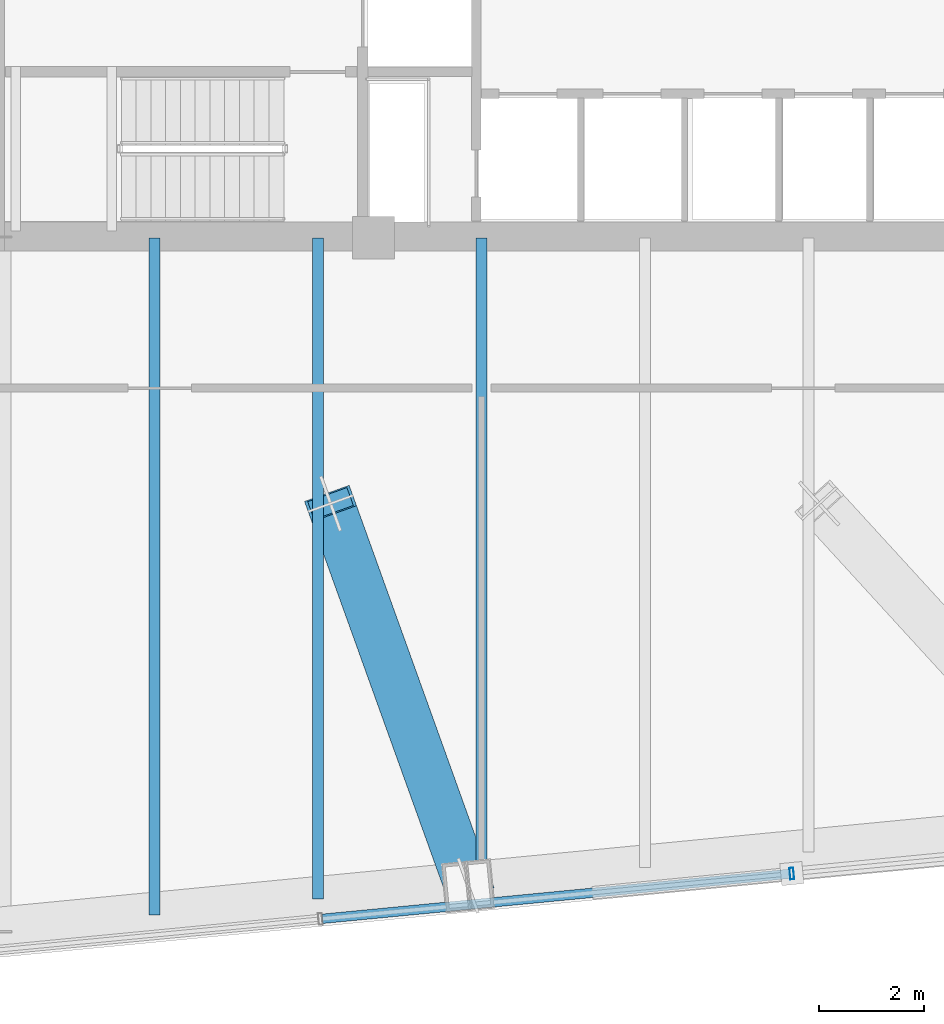
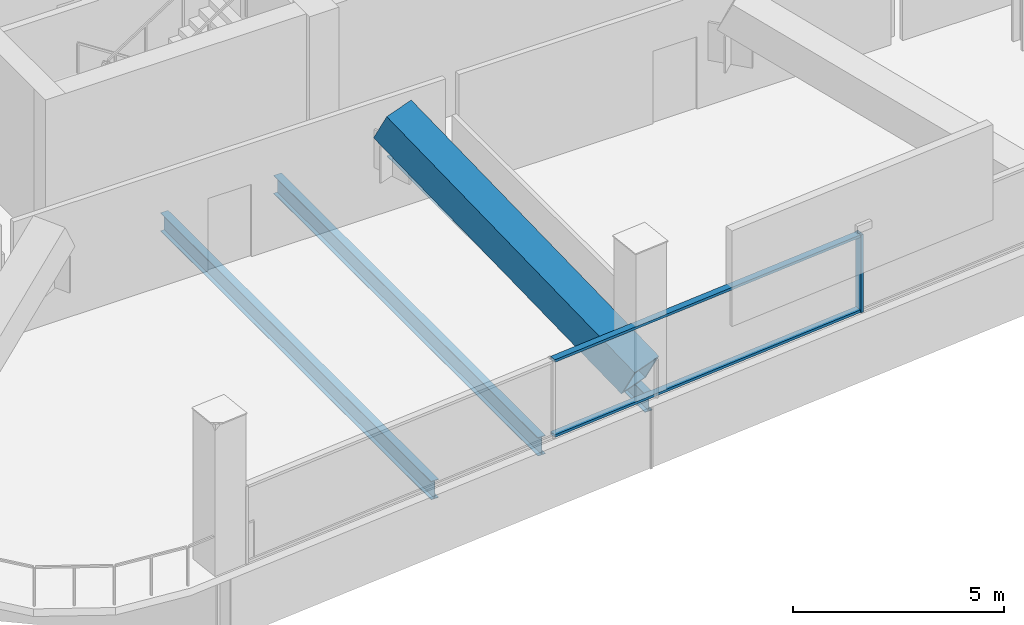
# One storey, part 5 of 30: 4 members, 3 beams, 1 element without a shape of its own.
"""IFC4 building model written with IfcOpenShell, lengths in metres."""

from ifc_helpers import new_model, si_unit, direction, frame, origin, origin_2d, place, context, subcontext, project, spatial, hollow_rectangle, i_section, extrude, material, layer, layer_set, material_profile, profile_set, type_object, element, aggregate, save


model = new_model("IFC4")

# Units and contexts
model_context = context("Model", 3, precision=1e-05, world=origin(), true_north=direction((0.0, 1.0)))
body_context = subcontext(model_context, "Body", "Model", "MODEL_VIEW")
ifc_project = project(units=[si_unit("LENGTHUNIT", "METRE"), si_unit("AREAUNIT", "SQUARE_METRE"), si_unit("VOLUMEUNIT", "CUBIC_METRE"), si_unit("PLANEANGLEUNIT", "RADIAN"), si_unit("MASSUNIT", "GRAM", prefix="KILO")], contexts=[model_context])

# Site, building, storey
site_placement = place(None, origin())
site = spatial("IfcSite", under=ifc_project, at=site_placement, CompositionType="ELEMENT")
building_placement = place(site_placement, origin())
building = spatial("IfcBuilding", under=site, at=building_placement, Name="Qhalaya Broadcast Tower", CompositionType="ELEMENT")
storey_placement = place(building_placement, frame((0.0, 0.0, 96.89990234375)))
storey = spatial("IfcBuildingStorey", under=building, at=storey_placement, Name="L28", CompositionType="ELEMENT", Elevation=96.89990234375)

# Beams
ifc_material_1 = material(Name="Structural Steel ASTM A992 Grade 50", Category="steel")
ifc_material_profile_1 = material_profile(ifc_material_1, i_section(OverallWidth=0.2099609375, OverallDepth=0.535888671875, WebThickness=0.010986328125, FlangeThickness=0.017333984375, at=origin_2d()), Name="W21X68")
ifc_profile_set_1 = profile_set([ifc_material_profile_1], Name="Structural Steel ASTM A992 Grade 50")
beam_type = type_object("IfcBeamType", Name="Composite Floor Joist J02", PredefinedType="JOIST", material=ifc_profile_set_1)
beam_1_placement = place(storey_placement, frame((-6.199951171875, -21.589111328125, -0.48779296875), z_axis=(0.0, 1.0, 0.0), x_axis=(-1.0, 0.0, 0.0)))
element("IfcBeam", 1, at=beam_1_placement, inside=storey, type_object=beam_type, Name="L28 J02 L28-JNS1-1", PredefinedType="JOIST", context=body_context, shape_type="SweptSolid", body=[
    extrude(i_section(OverallWidth=0.2099609375, OverallDepth=0.535888671875, WebThickness=0.010986328125, FlangeThickness=0.017333984375, at=origin_2d()), origin(), (0.0, 0.0, 1.0), 12.839111328125),
])
beam_2_placement = place(storey_placement, frame((-3.10009765625, -21.290771484375, -0.48779296875), z_axis=(0.0, 1.0, 0.0), x_axis=(-1.0, 0.0, 0.0)))
element("IfcBeam", 2, at=beam_2_placement, inside=storey, type_object=beam_type, Name="L28 J02 L28-JNS2-1", PredefinedType="JOIST", context=body_context, shape_type="SweptSolid", body=[
    extrude(i_section(OverallWidth=0.2099609375, OverallDepth=0.535888671875, WebThickness=0.010986328125, FlangeThickness=0.017333984375, at=origin_2d()), origin(), (0.0, 0.0, 1.0), 12.540771484375),
])
beam_3_placement = place(storey_placement, frame((0.0, -20.9921875, -0.48779296875), z_axis=(0.0, 1.0, 0.0), x_axis=(-1.0, 0.0, 0.0)))
element("IfcBeam", 3, at=beam_3_placement, inside=storey, type_object=beam_type, Name="L28 J02 L28-JNS3-1", PredefinedType="JOIST", context=body_context, shape_type="SweptSolid", body=[
    extrude(i_section(OverallWidth=0.2099609375, OverallDepth=0.535888671875, WebThickness=0.010986328125, FlangeThickness=0.017333984375, at=origin_2d()), origin(), (0.0, 0.0, 1.0), 12.2421875),
])

# Member
ifc_material_2 = material(Name="Structural Steel ASTM A572 Grade 50", Category="steel")
ifc_material_profile_2 = material_profile(ifc_material_2, hollow_rectangle(XDim=0.89990234375, YDim=0.89990234375, WallThickness=0.054931640625, at=origin_2d()), Name="BOX 900x900x55")
ifc_profile_set_2 = profile_set([ifc_material_profile_2], Name="Structural Steel ASTM A572 Grade 50")
member_type_1 = type_object("IfcMemberType", Name="Heavy Exoskeleton Transfer Strut RK1", PredefinedType="BRACE", material=ifc_profile_set_2)
member_1_placement = place(storey_placement, frame((-0.255126953125, -21.036865234375, 0.41064453125), z_axis=(-0.301488999548, 0.837695214226, 0.45538018316), x_axis=(-0.940916503079, -0.338638648465, 0.0)))
element("IfcMember", 4, at=member_1_placement, inside=storey, type_object=member_type_1, Name="L28 Inclined Exoskeleton Transfer Strut 02", PredefinedType="BRACE", context=body_context, shape_type="SweptSolid", body=[
    extrude(hollow_rectangle(XDim=0.89990234375, YDim=0.89990234375, WallThickness=0.054931640625, at=origin_2d()), origin(), (0.0, 0.0, 1.0), 8.65087890625),
])

# Curtain wall, members
ifc_material_3 = material(Name="Fired Architectural Terracotta", Category="masonry")
ifc_layer = layer(ifc_material_3, 0.219970703125, Name="Fired Architectural Terracotta")
ifc_layer_set = layer_set([ifc_layer], Name="Fired Architectural Terracotta")
curtain_wall_type = type_object("IfcCurtainWallType", Name="Block-Cap Unitised Terracotta Spandrel Wall CW-07", PredefinedType="NOTDEFINED", material=ifc_layer_set)
curtain_wall_placement = place(storey_placement, origin())
curtain_wall = element("IfcCurtainWall", 5, at=curtain_wall_placement, inside=storey, type_object=curtain_wall_type, Name="L28 Unitised Curtain Wall L28-CW-S", PredefinedType="NOTDEFINED")
ifc_material_4 = material(Name="Anodised Aluminium 6063-T6", Category="aluminium")
ifc_material_profile_3 = material_profile(ifc_material_4, hollow_rectangle(XDim=0.074951171875, YDim=0.219970703125, WallThickness=0.00390625, at=origin_2d()), Name="ALU-MUL 75x220x4")
ifc_profile_set_3 = profile_set([ifc_material_profile_3], Name="Anodised Aluminium 6063-T6")
member_type_2 = type_object("IfcMemberType", Name="Unitised Curtain-Wall Mullion M01", PredefinedType="MULLION", material=ifc_profile_set_3)
member_2_placement = place(storey_placement, frame((5.884521484375, -20.807373046875, 0.0), z_axis=(0.0, 0.0, 1.0), x_axis=(-0.995396096278, -0.095846812756, 0.0)))
member_2 = element("IfcMember", 6, at=member_2_placement, type_object=member_type_2, Name="CW-07 mullion 3", PredefinedType="MULLION", context=body_context, shape_type="SweptSolid", body=[
    extrude(hollow_rectangle(XDim=0.074951171875, YDim=0.219970703125, WallThickness=0.00390625, at=origin_2d()), origin(), (0.0, 0.0, 1.0), 2.25),
])
ifc_material_profile_4 = material_profile(ifc_material_4, hollow_rectangle(XDim=0.074951171875, YDim=0.179931640625, WallThickness=0.00390625, at=origin_2d()), Name="ALU-TRN 75x180x4")
ifc_profile_set_4 = profile_set([ifc_material_profile_4], Name="Anodised Aluminium 6063-T6")
member_type_3 = type_object("IfcMemberType", Name="Unitised Curtain-Wall Transom T01", PredefinedType="USERDEFINED", material=ifc_profile_set_4)
member_3_placement = place(storey_placement, frame((5.84716796875, -20.81103515625, 0.03759765625), z_axis=(-0.995397117949, -0.095836201822, 0.0), x_axis=(0.0, 0.0, 1.0)))
member_3 = element("IfcMember", 7, at=member_3_placement, type_object=member_type_3, Name="CW-07 transom 3.1", ObjectType="TRANSOM", PredefinedType="USERDEFINED", context=body_context, shape_type="SweptSolid", body=[
    extrude(hollow_rectangle(XDim=0.074951171875, YDim=0.179931640625, WallThickness=0.00390625, at=origin_2d()), origin(), (0.0, 0.0, 1.0), 8.906005859375),
])
member_4_placement = place(storey_placement, frame((5.84716796875, -20.81103515625, 2.212646484375), z_axis=(-0.995397117949, -0.095836201822, 0.0), x_axis=(0.0, 0.0, 1.0)))
member_4 = element("IfcMember", 8, at=member_4_placement, type_object=member_type_3, Name="CW-07 transom 3.2", ObjectType="TRANSOM", PredefinedType="USERDEFINED", context=body_context, shape_type="SweptSolid", body=[
    extrude(hollow_rectangle(XDim=0.074951171875, YDim=0.179931640625, WallThickness=0.00390625, at=origin_2d()), origin(), (0.0, 0.0, 1.0), 8.906005859375),
])
aggregate(curtain_wall, [member_2, member_3, member_4])

save(model, "model.ifc")
